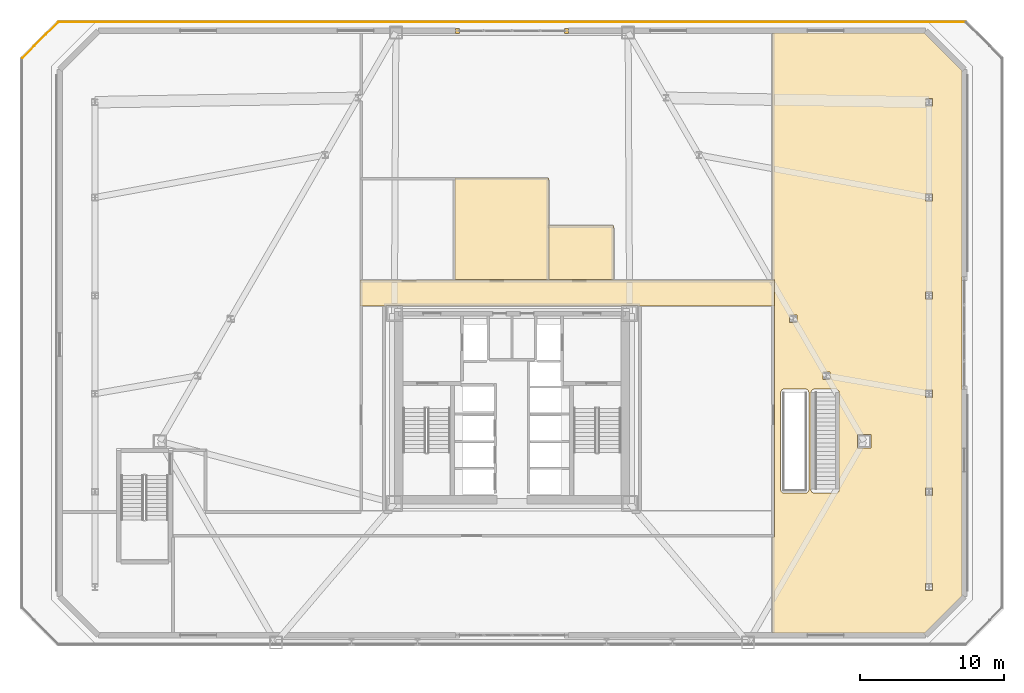
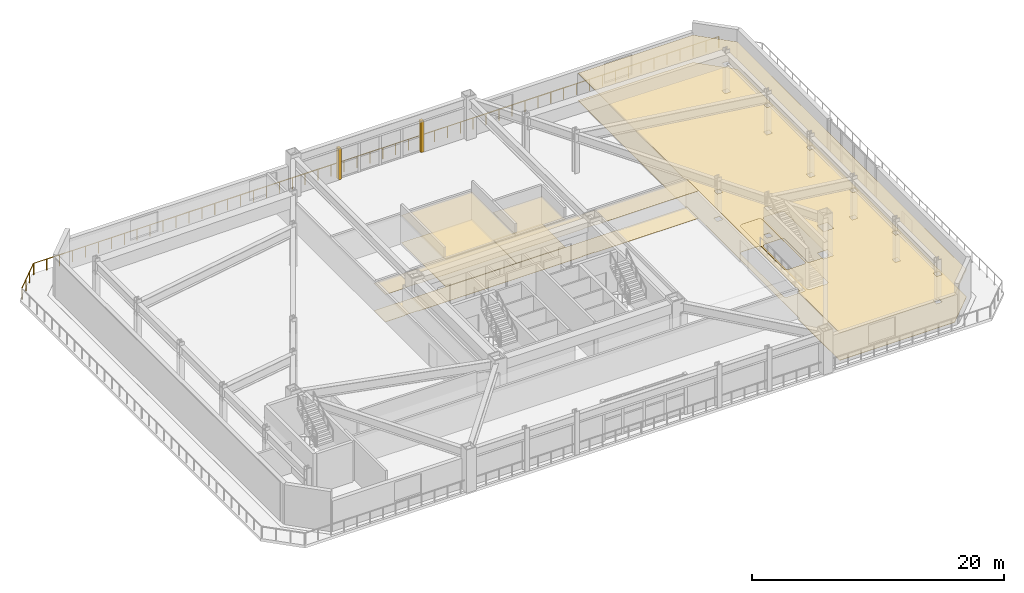
# One storey, part 21 of 22: 10 coverings, 2 railings.
"""IFC4 building model written with IfcOpenShell, lengths in metres."""

from ifc_helpers import new_model, si_unit, direction, frame, origin, origin_2d, place, context, subcontext, project, spatial, polyline, rectangle, circle, outline, extrude, material, layer, layer_set, type_object, element, save


model = new_model("IFC4")

# Units and contexts
model_context = context("Model", 3, precision=1e-05, world=origin(), true_north=direction((0.0, 1.0)))
body_context = subcontext(model_context, "Body", "Model", "MODEL_VIEW")
ifc_project = project(units=[si_unit("LENGTHUNIT", "METRE"), si_unit("AREAUNIT", "SQUARE_METRE"), si_unit("VOLUMEUNIT", "CUBIC_METRE"), si_unit("PLANEANGLEUNIT", "RADIAN"), si_unit("MASSUNIT", "GRAM", prefix="KILO")], contexts=[model_context])

# Site, building, storey
site_placement = place(None, origin())
site = spatial("IfcSite", under=ifc_project, at=site_placement, CompositionType="ELEMENT")
building_placement = place(site_placement, origin())
building = spatial("IfcBuilding", under=site, at=building_placement, Name="Oramaril Tower", CompositionType="ELEMENT")
storey_placement = place(building_placement, frame((0.0, 0.0, 18.300048828125)))
storey = spatial("IfcBuildingStorey", under=building, at=storey_placement, Name="L04", CompositionType="ELEMENT", Elevation=18.300048828125)

# Coverings
ifc_material_1 = material(Name="Mineral Fibre Acoustic Ceiling")
ifc_layer_1 = layer(ifc_material_1, 0.02001953125)
ifc_layer_set_1 = layer_set([ifc_layer_1], Name="CVT-CEIL")
covering_type_1 = type_object("IfcCoveringType", Name="CVT-CEIL", PredefinedType="CEILING", material=ifc_layer_set_1)
covering_1_placement = place(storey_placement, frame((0.0, 0.0, 2.661865234375)))
element("IfcCovering", 1, at=covering_1_placement, inside=storey, type_object=covering_type_1, Name="L04 Acoustic Suspended Ceiling 2", PredefinedType="CEILING", context=body_context, shape_type="SweptSolid", body=[
    extrude(outline(polyline([(55.679931640625, 26.47998046875), (55.679931640625, 24.669921875), (46.219970703125, 24.669921875), (46.219970703125, 24.719970703125), (45.080078125, 24.719970703125), (45.080078125, 24.669921875), (29.919921875, 24.669921875), (29.919921875, 24.719970703125), (28.780029296875, 24.719970703125), (28.780029296875, 24.669921875), (26.969970703125, 24.669921875), (26.969970703125, 26.47998046875), (55.679931640625, 26.47998046875)])), origin(), (0.0, 0.0, 1.0), 0.02001953125),
])
covering_2_placement = place(storey_placement, frame((0.0, 0.0, 2.661865234375)))
element("IfcCovering", 2, at=covering_2_placement, inside=storey, type_object=covering_type_1, Name="L04 Acoustic Suspended Ceiling 5", PredefinedType="CEILING", context=body_context, shape_type="SweptSolid", body=[
    extrude(outline(polyline([(55.55810546875, 2.01806640625), (55.55810546875, 8.64990234375), (55.679931640625, 8.64990234375), (55.681884765625, 8.650146484375), (55.683837890625, 8.650390625), (55.685791015625, 8.65087890625), (55.687744140625, 8.651611328125), (55.689453125, 8.65234375), (55.691162109375, 8.6533203125), (55.692626953125, 8.654541015625), (55.694091796875, 8.656005859375), (55.695556640625, 8.6572265625), (55.696533203125, 8.658935546875), (55.697509765625, 8.66064453125), (55.698486328125, 8.662353515625), (55.69921875, 8.664306640625), (55.69970703125, 8.666015625), (55.699951171875, 8.66796875), (55.699951171875, 8.669921875), (55.699951171875, 10.47998046875), (55.699951171875, 10.48193359375), (55.69970703125, 10.48388671875), (55.69921875, 10.48583984375), (55.698486328125, 10.48779296875), (55.697509765625, 10.489501953125), (55.697265625, 10.489990234375), (55.697509765625, 10.490478515625), (55.698486328125, 10.4921875), (55.69921875, 10.494140625), (55.69970703125, 10.49609375), (55.699951171875, 10.498046875), (55.699951171875, 10.5), (55.699951171875, 24.64990234375), (55.699951171875, 24.652099609375), (55.69970703125, 24.65380859375), (55.69921875, 24.65576171875), (55.698486328125, 24.65771484375), (55.697509765625, 24.659423828125), (55.697265625, 24.659912109375), (55.697509765625, 24.66064453125), (55.698486328125, 24.662353515625), (55.69921875, 24.664306640625), (55.69970703125, 24.666015625), (55.699951171875, 24.66796875), (55.699951171875, 24.669921875), (55.699951171875, 26.47998046875), (55.699951171875, 26.48193359375), (55.69970703125, 26.48388671875), (55.69921875, 26.48583984375), (55.698486328125, 26.48779296875), (55.697509765625, 26.489501953125), (55.696533203125, 26.4912109375), (55.695556640625, 26.49267578125), (55.694091796875, 26.494140625), (55.692626953125, 26.49560546875), (55.691162109375, 26.49658203125), (55.689453125, 26.49755859375), (55.687744140625, 26.49853515625), (55.685791015625, 26.4990234375), (55.683837890625, 26.49951171875), (55.681884765625, 26.5), (55.679931640625, 26.5), (55.55810546875, 26.5), (55.55810546875, 43.58203125), (66.1025390625, 43.58203125), (68.681884765625, 41.002685546875), (68.681884765625, 4.597412109375), (66.1025390625, 2.01806640625), (55.55810546875, 2.01806640625)]), holes=[polyline([(66.652587890625, 4.947509765625), (66.652587890625, 5.452392578125), (66.1474609375, 5.452392578125), (66.1474609375, 4.947509765625), (66.652587890625, 4.947509765625)]), polyline([(66.652587890625, 12.052490234375), (66.1474609375, 12.052490234375), (66.1474609375, 11.547607421875), (66.652587890625, 11.547607421875), (66.652587890625, 12.052490234375)]), polyline([(62.38037109375, 15.77001953125), (61.440185546875, 15.77001953125), (61.440185546875, 14.830078125), (62.38037109375, 14.830078125), (62.38037109375, 15.77001953125)]), polyline([(56.1298828125, 18.71826171875), (56.126220703125, 18.694091796875), (56.125, 18.66943359375), (56.125, 11.949951171875), (56.126220703125, 11.925537109375), (56.1298828125, 11.901123046875), (56.1357421875, 11.87744140625), (56.14404296875, 11.854248046875), (56.154541015625, 11.832275390625), (56.1669921875, 11.81103515625), (56.181640625, 11.79150390625), (56.1982421875, 11.773193359375), (56.21630859375, 11.756591796875), (56.236083984375, 11.7421875), (56.257080078125, 11.7294921875), (56.279296875, 11.718994140625), (56.302490234375, 11.710693359375), (56.326171875, 11.704833984375), (56.3505859375, 11.701171875), (56.375, 11.699951171875), (57.824951171875, 11.699951171875), (57.849609375, 11.701171875), (57.873779296875, 11.704833984375), (57.897705078125, 11.710693359375), (57.920654296875, 11.718994140625), (57.94287109375, 11.7294921875), (57.9638671875, 11.7421875), (57.983642578125, 11.756591796875), (58.001708984375, 11.773193359375), (58.018310546875, 11.79150390625), (58.032958984375, 11.81103515625), (58.04541015625, 11.832275390625), (58.055908203125, 11.854248046875), (58.064208984375, 11.87744140625), (58.0703125, 11.901123046875), (58.07373046875, 11.925537109375), (58.074951171875, 11.949951171875), (58.074951171875, 18.66943359375), (58.07373046875, 18.694091796875), (58.0703125, 18.71826171875), (58.064208984375, 18.7421875), (58.055908203125, 18.76513671875), (58.04541015625, 18.787353515625), (58.032958984375, 18.808349609375), (58.018310546875, 18.828125), (58.001708984375, 18.84619140625), (57.983642578125, 18.86279296875), (57.9638671875, 18.87744140625), (57.94287109375, 18.889892578125), (57.920654296875, 18.900390625), (57.897705078125, 18.90869140625), (57.873779296875, 18.914794921875), (57.849609375, 18.918212890625), (57.824951171875, 18.91943359375), (56.375, 18.91943359375), (56.3505859375, 18.918212890625), (56.326171875, 18.914794921875), (56.302490234375, 18.90869140625), (56.279296875, 18.900390625), (56.257080078125, 18.889892578125), (56.236083984375, 18.87744140625), (56.21630859375, 18.86279296875), (56.1982421875, 18.84619140625), (56.181640625, 18.828125), (56.1669921875, 18.808349609375), (56.154541015625, 18.787353515625), (56.14404296875, 18.76513671875), (56.1357421875, 18.7421875), (56.1298828125, 18.71826171875)]), polyline([(58.23583984375, 18.7421875), (58.229736328125, 18.71826171875), (58.226318359375, 18.694091796875), (58.22509765625, 18.66943359375), (58.22509765625, 11.949951171875), (58.226318359375, 11.925537109375), (58.229736328125, 11.901123046875), (58.23583984375, 11.87744140625), (58.243896484375, 11.854248046875), (58.25439453125, 11.832275390625), (58.26708984375, 11.81103515625), (58.28173828125, 11.79150390625), (58.298095703125, 11.773193359375), (58.31640625, 11.756591796875), (58.336181640625, 11.7421875), (58.357177734375, 11.7294921875), (58.37939453125, 11.718994140625), (58.40234375, 11.710693359375), (58.42626953125, 11.704833984375), (58.450439453125, 11.701171875), (58.47509765625, 11.699951171875), (59.925048828125, 11.699951171875), (59.949462890625, 11.701171875), (59.973876953125, 11.704833984375), (59.99755859375, 11.710693359375), (60.020751953125, 11.718994140625), (60.042724609375, 11.7294921875), (60.06396484375, 11.7421875), (60.08349609375, 11.756591796875), (60.101806640625, 11.773193359375), (60.118408203125, 11.79150390625), (60.1328125, 11.81103515625), (60.1455078125, 11.832275390625), (60.156005859375, 11.854248046875), (60.164306640625, 11.87744140625), (60.170166015625, 11.901123046875), (60.173828125, 11.925537109375), (60.175048828125, 11.949951171875), (60.175048828125, 18.66943359375), (60.173828125, 18.694091796875), (60.170166015625, 18.71826171875), (60.164306640625, 18.7421875), (60.156005859375, 18.76513671875), (60.1455078125, 18.787353515625), (60.1328125, 18.808349609375), (60.118408203125, 18.828125), (60.101806640625, 18.84619140625), (60.08349609375, 18.86279296875), (60.06396484375, 18.87744140625), (60.042724609375, 18.889892578125), (60.020751953125, 18.900390625), (59.99755859375, 18.90869140625), (59.973876953125, 18.914794921875), (59.949462890625, 18.918212890625), (59.925048828125, 18.91943359375), (58.47509765625, 18.91943359375), (58.450439453125, 18.918212890625), (58.42626953125, 18.914794921875), (58.40234375, 18.90869140625), (58.37939453125, 18.900390625), (58.357177734375, 18.889892578125), (58.336181640625, 18.87744140625), (58.31640625, 18.86279296875), (58.298095703125, 18.84619140625), (58.28173828125, 18.828125), (58.26708984375, 18.808349609375), (58.25439453125, 18.787353515625), (58.243896484375, 18.76513671875), (58.23583984375, 18.7421875)]), polyline([(66.652587890625, 18.347412109375), (66.652587890625, 18.8525390625), (66.1474609375, 18.8525390625), (66.1474609375, 18.347412109375), (66.652587890625, 18.347412109375)]), polyline([(59.544921875, 20.0869140625), (59.039794921875, 20.0869140625), (59.039794921875, 19.581787109375), (59.544921875, 19.581787109375), (59.544921875, 20.0869140625)]), polyline([(57.254150390625, 23.549560546875), (57.254150390625, 24.054443359375), (56.749267578125, 24.054443359375), (56.749267578125, 23.549560546875), (57.254150390625, 23.549560546875)]), polyline([(66.652587890625, 25.1474609375), (66.652587890625, 25.652587890625), (66.1474609375, 25.652587890625), (66.1474609375, 25.1474609375), (66.652587890625, 25.1474609375)]), polyline([(66.652587890625, 32.452392578125), (66.1474609375, 32.452392578125), (66.1474609375, 31.947509765625), (66.652587890625, 31.947509765625), (66.652587890625, 32.452392578125)]), polyline([(66.652587890625, 38.547607421875), (66.652587890625, 39.052490234375), (66.1474609375, 39.052490234375), (66.1474609375, 38.547607421875), (66.652587890625, 38.547607421875)])]), origin(), (0.0, 0.0, 1.0), 0.02001953125),
])
covering_3_placement = place(storey_placement, frame((0.0, 0.0, 2.661865234375)))
element("IfcCovering", 3, at=covering_3_placement, inside=storey, type_object=covering_type_1, Name="L04 Acoustic Suspended Ceiling 9", PredefinedType="CEILING", context=body_context, shape_type="SweptSolid", body=[
    extrude(outline(polyline([(40.0419921875, 26.5), (33.56201171875, 26.5), (33.56201171875, 33.5419921875), (40.0419921875, 33.5419921875), (40.0419921875, 26.5)])), origin(), (0.0, 0.0, 1.0), 0.02001953125),
])
covering_4_placement = place(storey_placement, frame((0.0, 0.0, 2.661865234375)))
element("IfcCovering", 4, at=covering_4_placement, inside=storey, type_object=covering_type_1, Name="L04 Acoustic Suspended Ceiling 10", PredefinedType="CEILING", context=body_context, shape_type="SweptSolid", body=[
    extrude(outline(polyline([(44.5419921875, 30.241943359375), (44.5419921875, 26.5), (40.06201171875, 26.5), (40.06201171875, 30.241943359375), (44.5419921875, 30.241943359375)])), origin(), (0.0, 0.0, 1.0), 0.02001953125),
])
ifc_material_2 = material(Name="Warm Cream Limestone", Category="masonry")
ifc_layer_2 = layer(ifc_material_2, 0.050048828125)
ifc_layer_set_2 = layer_set([ifc_layer_2], Name="CVT-CLD")
covering_type_2 = type_object("IfcCoveringType", Name="CVT-CLD", PredefinedType="CLADDING", material=ifc_layer_set_2)
for number, where, z_axis, x_axis, name in (
    (5, (41.280029296875, 43.75, 0.0), (0.0, 0.0, 1.0), (-1.0, 0.0, 0.0), "L04 Curtain Wall Limestone Jamb Closure"),
    (6, (33.719970703125, 43.75, 0.0), (0.0, 0.0, 1.0), (-1.0, 0.0, 0.0), "L04 Curtain Wall Limestone Jamb Closure"),
):
    element("IfcCovering", number, at=place(storey_placement, frame(where, z_axis=z_axis, x_axis=x_axis)), inside=storey, type_object=covering_type_2, Name=name, PredefinedType="CLADDING", context=body_context, shape_type="SweptSolid", body=[
        extrude(rectangle(XDim=0.260009765625, YDim=0.340087890625, at=origin_2d()), origin(), (0.0, 0.0, 1.0), 3.013916015625),
    ])
ifc_material_3 = material(Name="Honed Quartzite Stone Flooring", Category="masonry")
ifc_layer_3 = layer(ifc_material_3, 0.02490234375)
ifc_layer_set_3 = layer_set([ifc_layer_3], Name="CVT-FLR")
covering_type_3 = type_object("IfcCoveringType", Name="CVT-FLR", PredefinedType="FLOORING", material=ifc_layer_set_3)
covering_5_placement = place(storey_placement, origin())
element("IfcCovering", 7, at=covering_5_placement, inside=storey, type_object=covering_type_3, Name="L04 Honed Stone Floor Finish 2", PredefinedType="FLOORING", context=body_context, shape_type="SweptSolid", body=[
    extrude(outline(polyline([(55.679931640625, 26.47998046875), (55.679931640625, 24.669921875), (46.219970703125, 24.669921875), (46.219970703125, 24.719970703125), (45.080078125, 24.719970703125), (45.080078125, 24.669921875), (29.919921875, 24.669921875), (29.919921875, 24.719970703125), (28.780029296875, 24.719970703125), (28.780029296875, 24.669921875), (26.969970703125, 24.669921875), (26.969970703125, 26.47998046875), (55.679931640625, 26.47998046875)])), origin(), (0.0, 0.0, 1.0), 0.02490234375),
])
covering_6_placement = place(storey_placement, origin())
element("IfcCovering", 8, at=covering_6_placement, inside=storey, type_object=covering_type_3, Name="L04 Honed Stone Floor Finish 5", PredefinedType="FLOORING", context=body_context, shape_type="SweptSolid", body=[
    extrude(outline(polyline([(55.55810546875, 2.01806640625), (55.55810546875, 8.64990234375), (55.679931640625, 8.64990234375), (55.681884765625, 8.650146484375), (55.683837890625, 8.650390625), (55.685791015625, 8.65087890625), (55.687744140625, 8.651611328125), (55.689453125, 8.65234375), (55.691162109375, 8.6533203125), (55.692626953125, 8.654541015625), (55.694091796875, 8.656005859375), (55.695556640625, 8.6572265625), (55.696533203125, 8.658935546875), (55.697509765625, 8.66064453125), (55.698486328125, 8.662353515625), (55.69921875, 8.664306640625), (55.69970703125, 8.666015625), (55.699951171875, 8.66796875), (55.699951171875, 8.669921875), (55.699951171875, 10.47998046875), (55.699951171875, 10.48193359375), (55.69970703125, 10.48388671875), (55.69921875, 10.48583984375), (55.698486328125, 10.48779296875), (55.697509765625, 10.489501953125), (55.697265625, 10.489990234375), (55.697509765625, 10.490478515625), (55.698486328125, 10.4921875), (55.69921875, 10.494140625), (55.69970703125, 10.49609375), (55.699951171875, 10.498046875), (55.699951171875, 10.5), (55.699951171875, 24.64990234375), (55.699951171875, 24.652099609375), (55.69970703125, 24.65380859375), (55.69921875, 24.65576171875), (55.698486328125, 24.65771484375), (55.697509765625, 24.659423828125), (55.697265625, 24.659912109375), (55.697509765625, 24.66064453125), (55.698486328125, 24.662353515625), (55.69921875, 24.664306640625), (55.69970703125, 24.666015625), (55.699951171875, 24.66796875), (55.699951171875, 24.669921875), (55.699951171875, 26.47998046875), (55.699951171875, 26.48193359375), (55.69970703125, 26.48388671875), (55.69921875, 26.48583984375), (55.698486328125, 26.48779296875), (55.697509765625, 26.489501953125), (55.696533203125, 26.4912109375), (55.695556640625, 26.49267578125), (55.694091796875, 26.494140625), (55.692626953125, 26.49560546875), (55.691162109375, 26.49658203125), (55.689453125, 26.49755859375), (55.687744140625, 26.49853515625), (55.685791015625, 26.4990234375), (55.683837890625, 26.49951171875), (55.681884765625, 26.5), (55.679931640625, 26.5), (55.55810546875, 26.5), (55.55810546875, 43.58203125), (66.1025390625, 43.58203125), (68.681884765625, 41.002685546875), (68.681884765625, 4.597412109375), (66.1025390625, 2.01806640625), (55.55810546875, 2.01806640625)]), holes=[polyline([(66.652587890625, 4.947509765625), (66.652587890625, 5.452392578125), (66.1474609375, 5.452392578125), (66.1474609375, 4.947509765625), (66.652587890625, 4.947509765625)]), polyline([(66.652587890625, 12.052490234375), (66.1474609375, 12.052490234375), (66.1474609375, 11.547607421875), (66.652587890625, 11.547607421875), (66.652587890625, 12.052490234375)]), polyline([(62.38037109375, 15.77001953125), (61.440185546875, 15.77001953125), (61.440185546875, 14.830078125), (62.38037109375, 14.830078125), (62.38037109375, 15.77001953125)]), polyline([(56.1298828125, 18.71826171875), (56.126220703125, 18.694091796875), (56.125, 18.66943359375), (56.125, 11.949951171875), (56.126220703125, 11.925537109375), (56.1298828125, 11.901123046875), (56.1357421875, 11.87744140625), (56.14404296875, 11.854248046875), (56.154541015625, 11.832275390625), (56.1669921875, 11.81103515625), (56.181640625, 11.79150390625), (56.1982421875, 11.773193359375), (56.21630859375, 11.756591796875), (56.236083984375, 11.7421875), (56.257080078125, 11.7294921875), (56.279296875, 11.718994140625), (56.302490234375, 11.710693359375), (56.326171875, 11.704833984375), (56.3505859375, 11.701171875), (56.375, 11.699951171875), (57.824951171875, 11.699951171875), (57.849609375, 11.701171875), (57.873779296875, 11.704833984375), (57.897705078125, 11.710693359375), (57.920654296875, 11.718994140625), (57.94287109375, 11.7294921875), (57.9638671875, 11.7421875), (57.983642578125, 11.756591796875), (58.001708984375, 11.773193359375), (58.018310546875, 11.79150390625), (58.032958984375, 11.81103515625), (58.04541015625, 11.832275390625), (58.055908203125, 11.854248046875), (58.064208984375, 11.87744140625), (58.0703125, 11.901123046875), (58.07373046875, 11.925537109375), (58.074951171875, 11.949951171875), (58.074951171875, 18.66943359375), (58.07373046875, 18.694091796875), (58.0703125, 18.71826171875), (58.064208984375, 18.7421875), (58.055908203125, 18.76513671875), (58.04541015625, 18.787353515625), (58.032958984375, 18.808349609375), (58.018310546875, 18.828125), (58.001708984375, 18.84619140625), (57.983642578125, 18.86279296875), (57.9638671875, 18.87744140625), (57.94287109375, 18.889892578125), (57.920654296875, 18.900390625), (57.897705078125, 18.90869140625), (57.873779296875, 18.914794921875), (57.849609375, 18.918212890625), (57.824951171875, 18.91943359375), (56.375, 18.91943359375), (56.3505859375, 18.918212890625), (56.326171875, 18.914794921875), (56.302490234375, 18.90869140625), (56.279296875, 18.900390625), (56.257080078125, 18.889892578125), (56.236083984375, 18.87744140625), (56.21630859375, 18.86279296875), (56.1982421875, 18.84619140625), (56.181640625, 18.828125), (56.1669921875, 18.808349609375), (56.154541015625, 18.787353515625), (56.14404296875, 18.76513671875), (56.1357421875, 18.7421875), (56.1298828125, 18.71826171875)]), polyline([(58.23583984375, 18.7421875), (58.229736328125, 18.71826171875), (58.226318359375, 18.694091796875), (58.22509765625, 18.66943359375), (58.22509765625, 11.949951171875), (58.226318359375, 11.925537109375), (58.229736328125, 11.901123046875), (58.23583984375, 11.87744140625), (58.243896484375, 11.854248046875), (58.25439453125, 11.832275390625), (58.26708984375, 11.81103515625), (58.28173828125, 11.79150390625), (58.298095703125, 11.773193359375), (58.31640625, 11.756591796875), (58.336181640625, 11.7421875), (58.357177734375, 11.7294921875), (58.37939453125, 11.718994140625), (58.40234375, 11.710693359375), (58.42626953125, 11.704833984375), (58.450439453125, 11.701171875), (58.47509765625, 11.699951171875), (59.925048828125, 11.699951171875), (59.949462890625, 11.701171875), (59.973876953125, 11.704833984375), (59.99755859375, 11.710693359375), (60.020751953125, 11.718994140625), (60.042724609375, 11.7294921875), (60.06396484375, 11.7421875), (60.08349609375, 11.756591796875), (60.101806640625, 11.773193359375), (60.118408203125, 11.79150390625), (60.1328125, 11.81103515625), (60.1455078125, 11.832275390625), (60.156005859375, 11.854248046875), (60.164306640625, 11.87744140625), (60.170166015625, 11.901123046875), (60.173828125, 11.925537109375), (60.175048828125, 11.949951171875), (60.175048828125, 18.66943359375), (60.173828125, 18.694091796875), (60.170166015625, 18.71826171875), (60.164306640625, 18.7421875), (60.156005859375, 18.76513671875), (60.1455078125, 18.787353515625), (60.1328125, 18.808349609375), (60.118408203125, 18.828125), (60.101806640625, 18.84619140625), (60.08349609375, 18.86279296875), (60.06396484375, 18.87744140625), (60.042724609375, 18.889892578125), (60.020751953125, 18.900390625), (59.99755859375, 18.90869140625), (59.973876953125, 18.914794921875), (59.949462890625, 18.918212890625), (59.925048828125, 18.91943359375), (58.47509765625, 18.91943359375), (58.450439453125, 18.918212890625), (58.42626953125, 18.914794921875), (58.40234375, 18.90869140625), (58.37939453125, 18.900390625), (58.357177734375, 18.889892578125), (58.336181640625, 18.87744140625), (58.31640625, 18.86279296875), (58.298095703125, 18.84619140625), (58.28173828125, 18.828125), (58.26708984375, 18.808349609375), (58.25439453125, 18.787353515625), (58.243896484375, 18.76513671875), (58.23583984375, 18.7421875)]), polyline([(66.652587890625, 18.347412109375), (66.652587890625, 18.8525390625), (66.1474609375, 18.8525390625), (66.1474609375, 18.347412109375), (66.652587890625, 18.347412109375)]), polyline([(59.544921875, 20.0869140625), (59.039794921875, 20.0869140625), (59.039794921875, 19.581787109375), (59.544921875, 19.581787109375), (59.544921875, 20.0869140625)]), polyline([(57.254150390625, 23.549560546875), (57.254150390625, 24.054443359375), (56.749267578125, 24.054443359375), (56.749267578125, 23.549560546875), (57.254150390625, 23.549560546875)]), polyline([(66.652587890625, 25.1474609375), (66.652587890625, 25.652587890625), (66.1474609375, 25.652587890625), (66.1474609375, 25.1474609375), (66.652587890625, 25.1474609375)]), polyline([(66.652587890625, 32.452392578125), (66.1474609375, 32.452392578125), (66.1474609375, 31.947509765625), (66.652587890625, 31.947509765625), (66.652587890625, 32.452392578125)]), polyline([(66.652587890625, 38.547607421875), (66.652587890625, 39.052490234375), (66.1474609375, 39.052490234375), (66.1474609375, 38.547607421875), (66.652587890625, 38.547607421875)])]), origin(), (0.0, 0.0, 1.0), 0.02490234375),
])
covering_7_placement = place(storey_placement, origin())
element("IfcCovering", 9, at=covering_7_placement, inside=storey, type_object=covering_type_3, Name="L04 Honed Stone Floor Finish 9", PredefinedType="FLOORING", context=body_context, shape_type="SweptSolid", body=[
    extrude(outline(polyline([(40.0419921875, 26.5), (33.56201171875, 26.5), (33.56201171875, 33.5419921875), (40.0419921875, 33.5419921875), (40.0419921875, 26.5)])), origin(), (0.0, 0.0, 1.0), 0.02490234375),
])
covering_8_placement = place(storey_placement, origin())
element("IfcCovering", 10, at=covering_8_placement, inside=storey, type_object=covering_type_3, Name="L04 Honed Stone Floor Finish 10", PredefinedType="FLOORING", context=body_context, shape_type="SweptSolid", body=[
    extrude(outline(polyline([(44.5419921875, 30.241943359375), (44.5419921875, 26.5), (40.06201171875, 26.5), (40.06201171875, 30.241943359375), (44.5419921875, 30.241943359375)])), origin(), (0.0, 0.0, 1.0), 0.02490234375),
])

# Railings
ifc_material_4 = material(Name="Stainless Steel 316L", Category="steel")
railing_type = type_object("IfcRailingType", Name="RLT-GRD", PredefinedType="GUARDRAIL", material=ifc_material_4)
railing_1_placement = place(storey_placement, frame((68.912109375, 44.360107421875, 0.0)))
element("IfcRailing", 11, at=railing_1_placement, inside=storey, type_object=railing_type, Name="L04 Podium Terrace Guardrail 05", PredefinedType="GUARDRAIL", context=body_context, shape_type="SweptSolid", body=[
    extrude(circle(Radius=0.02392578125, at=origin_2d()), frame((0.0, 0.0, 1.076171875), z_axis=(-1.0, 0.0, 0.0), x_axis=(0.0, -1.0, 0.0)), (0.0, 0.0, 1.0), 62.82421875),
    extrude(circle(Radius=0.02099609375, at=origin_2d()), origin(), (0.0, 0.0, 1.0), 1.052001953125),
    extrude(circle(Radius=0.02099609375, at=origin_2d()), frame((-1.185302734375, 0.0, 0.0)), (0.0, 0.0, 1.0), 1.052001953125),
    extrude(circle(Radius=0.02099609375, at=origin_2d()), frame((-2.37060546875, 0.0, 0.0)), (0.0, 0.0, 1.0), 1.052001953125),
    extrude(circle(Radius=0.02099609375, at=origin_2d()), frame((-3.55615234375, 0.0, 0.0)), (0.0, 0.0, 1.0), 1.052001953125),
    extrude(circle(Radius=0.02099609375, at=origin_2d()), frame((-4.741455078125, 0.0, 0.0)), (0.0, 0.0, 1.0), 1.052001953125),
    extrude(circle(Radius=0.02099609375, at=origin_2d()), frame((-5.9267578125, 0.0, 0.0)), (0.0, 0.0, 1.0), 1.052001953125),
    extrude(circle(Radius=0.02099609375, at=origin_2d()), frame((-7.112060546875, 0.0, 0.0)), (0.0, 0.0, 1.0), 1.052001953125),
    extrude(circle(Radius=0.02099609375, at=origin_2d()), frame((-8.297607421875, 0.0, 0.0)), (0.0, 0.0, 1.0), 1.052001953125),
    extrude(circle(Radius=0.02099609375, at=origin_2d()), frame((-9.48291015625, 0.0, 0.0)), (0.0, 0.0, 1.0), 1.052001953125),
    extrude(circle(Radius=0.02099609375, at=origin_2d()), frame((-10.668212890625, 0.0, 0.0)), (0.0, 0.0, 1.0), 1.052001953125),
    extrude(circle(Radius=0.02099609375, at=origin_2d()), frame((-11.853515625, 0.0, 0.0)), (0.0, 0.0, 1.0), 1.052001953125),
    extrude(circle(Radius=0.02099609375, at=origin_2d()), frame((-13.0390625, 0.0, 0.0)), (0.0, 0.0, 1.0), 1.052001953125),
    extrude(circle(Radius=0.02099609375, at=origin_2d()), frame((-14.224365234375, 0.0, 0.0)), (0.0, 0.0, 1.0), 1.052001953125),
    extrude(circle(Radius=0.02099609375, at=origin_2d()), frame((-15.40966796875, 0.0, 0.0)), (0.0, 0.0, 1.0), 1.052001953125),
    extrude(circle(Radius=0.02099609375, at=origin_2d()), frame((-16.594970703125, 0.0, 0.0)), (0.0, 0.0, 1.0), 1.052001953125),
    extrude(circle(Radius=0.02099609375, at=origin_2d()), frame((-17.780517578125, 0.0, 0.0)), (0.0, 0.0, 1.0), 1.052001953125),
    extrude(circle(Radius=0.02099609375, at=origin_2d()), frame((-18.9658203125, 0.0, 0.0)), (0.0, 0.0, 1.0), 1.052001953125),
    extrude(circle(Radius=0.02099609375, at=origin_2d()), frame((-20.151123046875, 0.0, 0.0)), (0.0, 0.0, 1.0), 1.052001953125),
    extrude(circle(Radius=0.02099609375, at=origin_2d()), frame((-21.33642578125, 0.0, 0.0)), (0.0, 0.0, 1.0), 1.052001953125),
    extrude(circle(Radius=0.02099609375, at=origin_2d()), frame((-22.52197265625, 0.0, 0.0)), (0.0, 0.0, 1.0), 1.052001953125),
    extrude(circle(Radius=0.02099609375, at=origin_2d()), frame((-23.707275390625, 0.0, 0.0)), (0.0, 0.0, 1.0), 1.052001953125),
    extrude(circle(Radius=0.02099609375, at=origin_2d()), frame((-24.892578125, 0.0, 0.0)), (0.0, 0.0, 1.0), 1.052001953125),
    extrude(circle(Radius=0.02099609375, at=origin_2d()), frame((-26.077880859375, 0.0, 0.0)), (0.0, 0.0, 1.0), 1.052001953125),
    extrude(circle(Radius=0.02099609375, at=origin_2d()), frame((-27.263427734375, 0.0, 0.0)), (0.0, 0.0, 1.0), 1.052001953125),
    extrude(circle(Radius=0.02099609375, at=origin_2d()), frame((-28.44873046875, 0.0, 0.0)), (0.0, 0.0, 1.0), 1.052001953125),
    extrude(circle(Radius=0.02099609375, at=origin_2d()), frame((-29.634033203125, 0.0, 0.0)), (0.0, 0.0, 1.0), 1.052001953125),
    extrude(circle(Radius=0.02099609375, at=origin_2d()), frame((-30.8193359375, 0.0, 0.0)), (0.0, 0.0, 1.0), 1.052001953125),
    extrude(circle(Radius=0.02099609375, at=origin_2d()), frame((-32.0048828125, 0.0, 0.0)), (0.0, 0.0, 1.0), 1.052001953125),
    extrude(circle(Radius=0.02099609375, at=origin_2d()), frame((-33.190185546875, 0.0, 0.0)), (0.0, 0.0, 1.0), 1.052001953125),
    extrude(circle(Radius=0.02099609375, at=origin_2d()), frame((-34.37548828125, 0.0, 0.0)), (0.0, 0.0, 1.0), 1.052001953125),
    extrude(circle(Radius=0.02099609375, at=origin_2d()), frame((-35.560791015625, 0.0, 0.0)), (0.0, 0.0, 1.0), 1.052001953125),
    extrude(circle(Radius=0.02099609375, at=origin_2d()), frame((-36.746337890625, 0.0, 0.0)), (0.0, 0.0, 1.0), 1.052001953125),
    extrude(circle(Radius=0.02099609375, at=origin_2d()), frame((-37.931640625, 0.0, 0.0)), (0.0, 0.0, 1.0), 1.052001953125),
    extrude(circle(Radius=0.02099609375, at=origin_2d()), frame((-39.116943359375, 0.0, 0.0)), (0.0, 0.0, 1.0), 1.052001953125),
    extrude(circle(Radius=0.02099609375, at=origin_2d()), frame((-40.30224609375, 0.0, 0.0)), (0.0, 0.0, 1.0), 1.052001953125),
    extrude(circle(Radius=0.02099609375, at=origin_2d()), frame((-41.48779296875, 0.0, 0.0)), (0.0, 0.0, 1.0), 1.052001953125),
    extrude(circle(Radius=0.02099609375, at=origin_2d()), frame((-42.673095703125, 0.0, 0.0)), (0.0, 0.0, 1.0), 1.052001953125),
    extrude(circle(Radius=0.02099609375, at=origin_2d()), frame((-43.8583984375, 0.0, 0.0)), (0.0, 0.0, 1.0), 1.052001953125),
    extrude(circle(Radius=0.02099609375, at=origin_2d()), frame((-45.043701171875, 0.0, 0.0)), (0.0, 0.0, 1.0), 1.052001953125),
    extrude(circle(Radius=0.02099609375, at=origin_2d()), frame((-46.229248046875, 0.0, 0.0)), (0.0, 0.0, 1.0), 1.052001953125),
    extrude(circle(Radius=0.02099609375, at=origin_2d()), frame((-47.41455078125, 0.0, 0.0)), (0.0, 0.0, 1.0), 1.052001953125),
    extrude(circle(Radius=0.02099609375, at=origin_2d()), frame((-48.599853515625, 0.0, 0.0)), (0.0, 0.0, 1.0), 1.052001953125),
    extrude(circle(Radius=0.02099609375, at=origin_2d()), frame((-49.78515625, 0.0, 0.0)), (0.0, 0.0, 1.0), 1.052001953125),
    extrude(circle(Radius=0.02099609375, at=origin_2d()), frame((-50.970703125, 0.0, 0.0)), (0.0, 0.0, 1.0), 1.052001953125),
    extrude(circle(Radius=0.02099609375, at=origin_2d()), frame((-52.156005859375, 0.0, 0.0)), (0.0, 0.0, 1.0), 1.052001953125),
    extrude(circle(Radius=0.02099609375, at=origin_2d()), frame((-53.34130859375, 0.0, 0.0)), (0.0, 0.0, 1.0), 1.052001953125),
    extrude(circle(Radius=0.02099609375, at=origin_2d()), frame((-54.526611328125, 0.0, 0.0)), (0.0, 0.0, 1.0), 1.052001953125),
    extrude(circle(Radius=0.02099609375, at=origin_2d()), frame((-55.712158203125, 0.0, 0.0)), (0.0, 0.0, 1.0), 1.052001953125),
    extrude(circle(Radius=0.02099609375, at=origin_2d()), frame((-56.8974609375, 0.0, 0.0)), (0.0, 0.0, 1.0), 1.052001953125),
    extrude(circle(Radius=0.02099609375, at=origin_2d()), frame((-58.082763671875, 0.0, 0.0)), (0.0, 0.0, 1.0), 1.052001953125),
    extrude(circle(Radius=0.02099609375, at=origin_2d()), frame((-59.26806640625, 0.0, 0.0)), (0.0, 0.0, 1.0), 1.052001953125),
    extrude(circle(Radius=0.02099609375, at=origin_2d()), frame((-60.45361328125, 0.0, 0.0)), (0.0, 0.0, 1.0), 1.052001953125),
    extrude(circle(Radius=0.02099609375, at=origin_2d()), frame((-61.638916015625, 0.0, 0.0)), (0.0, 0.0, 1.0), 1.052001953125),
    extrude(circle(Radius=0.02099609375, at=origin_2d()), frame((-62.82421875, 0.0, 0.0)), (0.0, 0.0, 1.0), 1.052001953125),
])
railing_2_placement = place(storey_placement, frame((6.036865234375, 44.3388671875, 0.0)))
element("IfcRailing", 12, at=railing_2_placement, inside=storey, type_object=railing_type, Name="L04 Podium Terrace Guardrail 06", PredefinedType="GUARDRAIL", context=body_context, shape_type="SweptSolid", body=[
    extrude(circle(Radius=0.02392578125, at=origin_2d()), frame((0.0, 0.0, 1.076171875), z_axis=(-0.707106781187, -0.707106781187, 0.0), x_axis=(0.707106781187, -0.707106781187, 0.0)), (0.0, 0.0, 1.0), 3.5009765625),
    extrude(circle(Radius=0.02099609375, at=origin_2d()), origin(), (0.0, 0.0, 1.0), 1.052001953125),
    extrude(circle(Radius=0.02099609375, at=origin_2d()), frame((-0.8251953125, -0.8251953125, 0.0)), (0.0, 0.0, 1.0), 1.052001953125),
    extrude(circle(Radius=0.02099609375, at=origin_2d()), frame((-1.650390625, -1.650390625, 0.0)), (0.0, 0.0, 1.0), 1.052001953125),
    extrude(circle(Radius=0.02099609375, at=origin_2d()), frame((-2.4755859375, -2.4755859375, 0.0)), (0.0, 0.0, 1.0), 1.052001953125),
])

save(model, "model.ifc")
